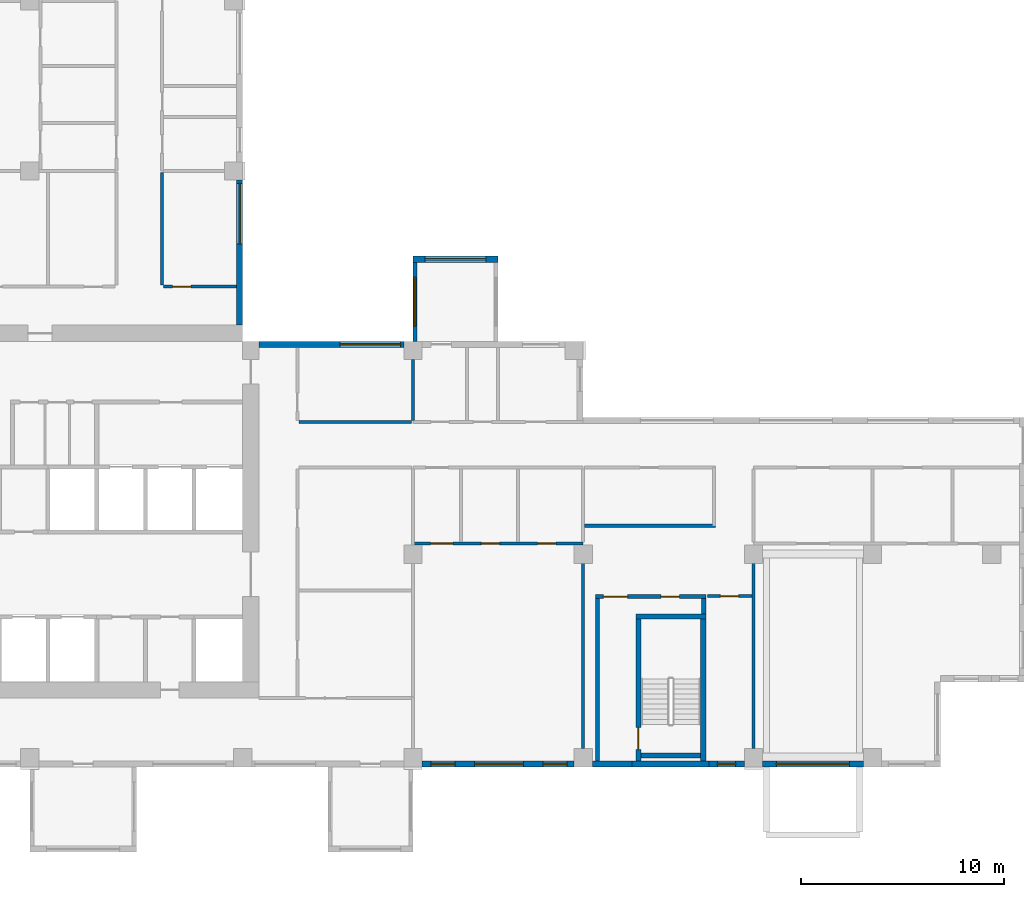
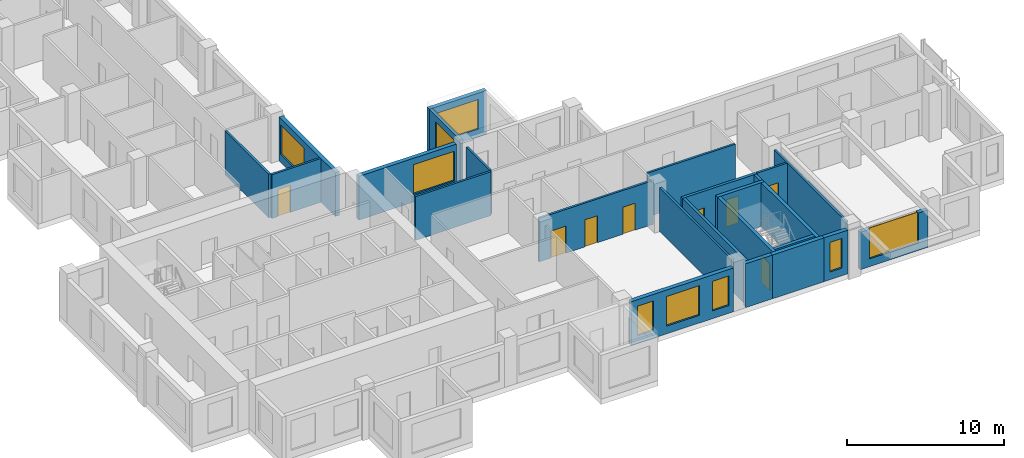
# One storey, part 4 of 12: 25 walls, 9 windows, 8 doors, 17 openings.
"""IFC4 building model written with IfcOpenShell, lengths in metres."""

from ifc_helpers import new_model, si_unit, direction, frame, frame_2d, origin, place, context, subcontext, project, spatial, rectangle, extrude, source, transform, mapped, material, layer, layer_set, type_object, element, fill, save


model = new_model("IFC4")

# Units and contexts
model_context = context("Model", 3, precision=1e-05, world=origin(), true_north=direction((0.0, 1.0)))
body_context = subcontext(model_context, "Body", "Model", "MODEL_VIEW")
ifc_project = project(units=[si_unit("LENGTHUNIT", "METRE"), si_unit("AREAUNIT", "SQUARE_METRE"), si_unit("VOLUMEUNIT", "CUBIC_METRE"), si_unit("PLANEANGLEUNIT", "RADIAN"), si_unit("MASSUNIT", "GRAM", prefix="KILO")], contexts=[model_context])

# Site, building, storey
site_placement = place(None, origin())
site = spatial("IfcSite", under=ifc_project, at=site_placement, CompositionType="ELEMENT")
building_placement = place(site_placement, origin())
building = spatial("IfcBuilding", under=site, at=building_placement, Name="Aurelian Terraces", CompositionType="ELEMENT")
storey_placement = place(building_placement, frame((0.0, 0.0, 196.8)))
storey = spatial("IfcBuildingStorey", under=building, at=storey_placement, Name="L43", CompositionType="ELEMENT", Elevation=196.8)

# Wall, opening, window
ifc_material_1 = material(Name="Terracotta rainscreen cladding", Category="masonry")
ifc_layer_1 = layer(ifc_material_1, 0.3)
ifc_layer_set_1 = layer_set([ifc_layer_1], Name="EW-300")
wall_type_1 = type_object("IfcWallType", Name="EW-300", PredefinedType="STANDARD", material=ifc_layer_set_1)
shared_shape_1 = source(origin(), body_context, "Body", "SweptSolid", [
    extrude(rectangle(XDim=7.15, YDim=0.3, at=frame_2d((3.575, 0.0))), origin(), (0.0, 0.0, 1.0), 3.4),
])
wall_1_placement = place(storey_placement, frame((28.95, 20.85, 0.0), z_axis=(0.0, 0.0, 1.0), x_axis=(-1.0, 0.0, 0.0)))
wall_1 = element("IfcWall", 1, at=wall_1_placement, inside=storey, type_object=wall_type_1, Name="External wall L43 F07.17", PredefinedType="STANDARD", context=body_context, shape_type="MappedRepresentation", body=[
    mapped(shared_shape_1, transform((0.0, 0.0, 0.0), scale=1.0)),
])
shared_shape_2 = source(origin(), body_context, "Body", "SweptSolid", [
    extrude(rectangle(XDim=3.0, YDim=2.3, at=frame_2d((1.5, 1.15))), frame((0.0, 0.16, 0.0), z_axis=(0.0, -1.0, 0.0), x_axis=(1.0, 0.0, 0.0)), (0.0, 0.0, 1.0), 0.32),
])
opening_1_placement = place(wall_1_placement, frame((0.15, 0.0, 0.6)))
opening_1 = element("IfcOpeningElement", 2, at=opening_1_placement, cuts=wall_1, Name="Opening W3023", PredefinedType="OPENING", context=body_context, shape_type="MappedRepresentation", body=[
    mapped(shared_shape_2, transform((0.0, 0.0, 0.0), scale=1.0)),
])
ifc_material_2 = material(Name="Clear glazing", Category="glass")
window_type_1 = type_object("IfcWindowType", Name="W-3000x2300", PartitioningType="SINGLE_PANEL", PredefinedType="WINDOW", material=ifc_material_2)
shared_shape_3 = source(origin(), body_context, "Body", "SweptSolid", [
    extrude(rectangle(XDim=3.0, YDim=2.3, at=frame_2d((1.5, 1.15))), frame((0.0, 0.03, 0.0), z_axis=(0.0, -1.0, 0.0), x_axis=(1.0, 0.0, 0.0)), (0.0, 0.0, 1.0), 0.06),
])
window_1_placement = place(opening_1_placement, origin())
window_1 = element("IfcWindow", 3, at=window_1_placement, inside=storey, type_object=window_type_1, Name="Window L43 L43-F07-17-0", OverallHeight=2.3, OverallWidth=3.0, PartitioningType="SINGLE_PANEL", PredefinedType="WINDOW", context=body_context, shape_type="MappedRepresentation", body=[
    mapped(shared_shape_3, transform((0.0, 0.0, 0.0), scale=1.0)),
])
fill(opening_1, window_1)

wall_2_placement = place(storey_placement, frame((20.85, 21.8, 0.0), z_axis=(0.0, 0.0, 1.0), x_axis=(0.0, 1.0, 0.0)))
wall_2 = element("IfcWall", 4, at=wall_2_placement, inside=storey, type_object=wall_type_1, Name="External wall L43 F08.18", PredefinedType="STANDARD", context=body_context, shape_type="MappedRepresentation", body=[
    mapped(shared_shape_1, transform((0.0, 0.0, 0.0), scale=1.0)),
])
opening_2_placement = place(wall_2_placement, frame((4.0, 0.0, 0.6)))
opening_2 = element("IfcOpeningElement", 5, at=opening_2_placement, cuts=wall_2, Name="Opening W3023", PredefinedType="OPENING", context=body_context, shape_type="MappedRepresentation", body=[
    mapped(shared_shape_2, transform((0.0, 0.0, 0.0), scale=1.0)),
])
window_2_placement = place(opening_2_placement, origin())
window_2 = element("IfcWindow", 6, at=window_2_placement, inside=storey, type_object=window_type_1, Name="Window L43 L43-F08-18-1", OverallHeight=2.3, OverallWidth=3.0, PartitioningType="SINGLE_PANEL", PredefinedType="WINDOW", context=body_context, shape_type="MappedRepresentation", body=[
    mapped(shared_shape_3, transform((0.0, 0.0, 0.0), scale=1.0)),
])
fill(opening_2, window_2)

# Wall, openings, windows
shared_shape_4 = source(origin(), body_context, "Body", "SweptSolid", [
    extrude(rectangle(XDim=7.5, YDim=0.3, at=frame_2d((3.75, 0.0))), origin(), (0.0, 0.0, 1.0), 3.4),
])
wall_3_placement = place(storey_placement, frame((29.85, 0.15, 0.0), z_axis=(0.0, 0.0, 1.0), x_axis=(1.0, 0.0, 0.0)))
wall_3 = element("IfcWall", 7, at=wall_3_placement, inside=storey, type_object=wall_type_1, Name="External wall L43 F01.4", PredefinedType="STANDARD", context=body_context, shape_type="MappedRepresentation", body=[
    mapped(shared_shape_4, transform((0.0, 0.0, 0.0), scale=1.0)),
])
shared_shape_5 = source(origin(), body_context, "Body", "SweptSolid", [
    extrude(rectangle(XDim=1.2, YDim=2.3, at=frame_2d((0.6, 1.15))), frame((0.0, 0.16, 0.0), z_axis=(0.0, -1.0, 0.0), x_axis=(1.0, 0.0, 0.0)), (0.0, 0.0, 1.0), 0.32),
])
opening_3_placement = place(wall_3_placement, frame((0.4375, 0.0, 0.6)))
opening_3 = element("IfcOpeningElement", 8, at=opening_3_placement, cuts=wall_3, Name="Opening W1223", PredefinedType="OPENING", context=body_context, shape_type="MappedRepresentation", body=[
    mapped(shared_shape_5, transform((0.0, 0.0, 0.0), scale=1.0)),
])
opening_4_placement = place(wall_3_placement, frame((5.9625, 0.0, 0.6)))
opening_4 = element("IfcOpeningElement", 9, at=opening_4_placement, cuts=wall_3, Name="Opening W1223", PredefinedType="OPENING", context=body_context, shape_type="MappedRepresentation", body=[
    mapped(shared_shape_5, transform((0.0, 0.0, 0.0), scale=1.0)),
])
shared_shape_6 = source(origin(), body_context, "Body", "SweptSolid", [
    extrude(rectangle(XDim=2.4, YDim=2.3, at=frame_2d((1.2, 1.15))), frame((0.0, 0.16, 0.0), z_axis=(0.0, -1.0, 0.0), x_axis=(1.0, 0.0, 0.0)), (0.0, 0.0, 1.0), 0.32),
])
opening_5_placement = place(wall_3_placement, frame((2.6, 0.0, 0.6)))
opening_5 = element("IfcOpeningElement", 10, at=opening_5_placement, cuts=wall_3, Name="Opening W2423", PredefinedType="OPENING", context=body_context, shape_type="MappedRepresentation", body=[
    mapped(shared_shape_6, transform((0.0, 0.0, 0.0), scale=1.0)),
])
window_type_2 = type_object("IfcWindowType", Name="W-1200x2300", PartitioningType="SINGLE_PANEL", PredefinedType="WINDOW", material=ifc_material_2)
shared_shape_7 = source(origin(), body_context, "Body", "SweptSolid", [
    extrude(rectangle(XDim=1.2, YDim=2.3, at=frame_2d((0.6, 1.15))), frame((0.0, 0.03, 0.0), z_axis=(0.0, -1.0, 0.0), x_axis=(1.0, 0.0, 0.0)), (0.0, 0.0, 1.0), 0.06),
])
window_3_placement = place(opening_3_placement, origin())
window_3 = element("IfcWindow", 11, at=window_3_placement, inside=storey, type_object=window_type_2, Name="Window L43 L43-F01-04-0", OverallHeight=2.3, OverallWidth=1.2, PartitioningType="SINGLE_PANEL", PredefinedType="WINDOW", context=body_context, shape_type="MappedRepresentation", body=[
    mapped(shared_shape_7, transform((0.0, 0.0, 0.0), scale=1.0)),
])
fill(opening_3, window_3)
window_4_placement = place(opening_4_placement, origin())
window_4 = element("IfcWindow", 12, at=window_4_placement, inside=storey, type_object=window_type_2, Name="Window L43 L43-F01-04-1", OverallHeight=2.3, OverallWidth=1.2, PartitioningType="SINGLE_PANEL", PredefinedType="WINDOW", context=body_context, shape_type="MappedRepresentation", body=[
    mapped(shared_shape_7, transform((0.0, 0.0, 0.0), scale=1.0)),
])
fill(opening_4, window_4)
window_type_3 = type_object("IfcWindowType", Name="W-2400x2300", PartitioningType="SINGLE_PANEL", PredefinedType="WINDOW", material=ifc_material_2)
shared_shape_8 = source(origin(), body_context, "Body", "SweptSolid", [
    extrude(rectangle(XDim=2.4, YDim=2.3, at=frame_2d((1.2, 1.15))), frame((0.0, 0.03, 0.0), z_axis=(0.0, -1.0, 0.0), x_axis=(1.0, 0.0, 0.0)), (0.0, 0.0, 1.0), 0.06),
])
window_5_placement = place(opening_5_placement, origin())
window_5 = element("IfcWindow", 13, at=window_5_placement, inside=storey, type_object=window_type_3, Name="Window L43 L43-F01-04-G0-21", OverallHeight=2.3, OverallWidth=2.4, PartitioningType="SINGLE_PANEL", PredefinedType="WINDOW", context=body_context, shape_type="MappedRepresentation", body=[
    mapped(shared_shape_8, transform((0.0, 0.0, 0.0), scale=1.0)),
])
fill(opening_5, window_5)

# Wall, opening, window
ifc_material_3 = material(Name="Concrete fc' 40 MPa", Category="concrete")
ifc_layer_2 = layer(ifc_material_3, 0.2)
ifc_layer_set_2 = layer_set([ifc_layer_2], Name="BOX BEARING WALL 200")
wall_type_2 = type_object("IfcWallType", Name="BOX BEARING WALL 200", PredefinedType="SOLIDWALL", material=ifc_layer_set_2)
shared_shape_9 = source(origin(), body_context, "Body", "SweptSolid", [
    extrude(rectangle(XDim=3.9, YDim=0.2, at=frame_2d((1.95, 0.0))), origin(), (0.0, 0.0, 1.0), 3.4),
])
wall_4_placement = place(storey_placement, frame((29.5, 21.0, 0.0), z_axis=(0.0, 0.0, 1.0), x_axis=(0.0, 1.0, 0.0)))
wall_4 = element("IfcWall", 14, at=wall_4_placement, inside=storey, type_object=wall_type_2, Name="Box return L43 J59.2", PredefinedType="SOLIDWALL", context=body_context, shape_type="MappedRepresentation", body=[
    mapped(shared_shape_9, transform((0.0, 0.0, 0.0), scale=1.0)),
])
shared_shape_10 = source(origin(), body_context, "Body", "SweptSolid", [
    extrude(rectangle(XDim=2.4, YDim=2.3, at=frame_2d((1.2, 1.15))), frame((0.0, 0.11, 0.0), z_axis=(0.0, -1.0, 0.0), x_axis=(1.0, 0.0, 0.0)), (0.0, 0.0, 1.0), 0.22),
])
opening_6_placement = place(wall_4_placement, frame((0.75, 0.0, 0.6)))
opening_6 = element("IfcOpeningElement", 15, at=opening_6_placement, cuts=wall_4, Name="Opening W2423", PredefinedType="OPENING", context=body_context, shape_type="MappedRepresentation", body=[
    mapped(shared_shape_10, transform((0.0, 0.0, 0.0), scale=1.0)),
])
window_6_placement = place(opening_6_placement, origin())
window_6 = element("IfcWindow", 16, at=window_6_placement, inside=storey, type_object=window_type_3, Name="Window L43 J59-S2", OverallHeight=2.3, OverallWidth=2.4, PartitioningType="SINGLE_PANEL", PredefinedType="WINDOW", context=body_context, shape_type="MappedRepresentation", body=[
    mapped(shared_shape_8, transform((0.0, 0.0, 0.0), scale=1.0)),
])
fill(opening_6, window_6)

ifc_layer_3 = layer(ifc_material_3, 0.3)
ifc_layer_set_3 = layer_set([ifc_layer_3], Name="BOX BEARING WALL 300")
wall_type_3 = type_object("IfcWallType", Name="BOX BEARING WALL 300", PredefinedType="SOLIDWALL", material=ifc_layer_set_3)
shared_shape_11 = source(origin(), body_context, "Body", "SweptSolid", [
    extrude(rectangle(XDim=4.2, YDim=0.3, at=frame_2d((2.1, 0.0))), origin(), (0.0, 0.0, 1.0), 3.4),
])
wall_5_placement = place(storey_placement, frame((33.6, 25.05, 0.0), z_axis=(0.0, 0.0, 1.0), x_axis=(-1.0, 0.0, 0.0)))
wall_5 = element("IfcWall", 17, at=wall_5_placement, inside=storey, type_object=wall_type_3, Name="Box wall L43 J59", PredefinedType="SOLIDWALL", context=body_context, shape_type="MappedRepresentation", body=[
    mapped(shared_shape_11, transform((0.0, 0.0, 0.0), scale=1.0)),
])
opening_7_placement = place(wall_5_placement, frame((0.6, 0.0, 0.6)))
opening_7 = element("IfcOpeningElement", 18, at=opening_7_placement, cuts=wall_5, Name="Opening W3023", PredefinedType="OPENING", context=body_context, shape_type="MappedRepresentation", body=[
    mapped(shared_shape_2, transform((0.0, 0.0, 0.0), scale=1.0)),
])
window_7_placement = place(opening_7_placement, origin())
window_7 = element("IfcWindow", 19, at=window_7_placement, inside=storey, type_object=window_type_1, Name="Window L43 J59-F1", OverallHeight=2.3, OverallWidth=3.0, PartitioningType="SINGLE_PANEL", PredefinedType="WINDOW", context=body_context, shape_type="MappedRepresentation", body=[
    mapped(shared_shape_3, transform((0.0, 0.0, 0.0), scale=1.0)),
])
fill(opening_7, window_7)

# Walls
shared_shape_12 = source(origin(), body_context, "Body", "SweptSolid", [
    extrude(rectangle(XDim=1.95, YDim=0.3, at=frame_2d((0.975, 0.0))), origin(), (0.0, 0.0, 1.0), 3.4),
])
wall_6_placement = place(storey_placement, frame((38.25, 0.15, 0.0), z_axis=(0.0, 0.0, 1.0), x_axis=(1.0, 0.0, 0.0)))
element("IfcWall", 20, at=wall_6_placement, inside=storey, type_object=wall_type_1, Name="External wall L43 F01.5", PredefinedType="STANDARD", context=body_context, shape_type="MappedRepresentation", body=[
    mapped(shared_shape_12, transform((0.0, 0.0, 0.0), scale=1.0)),
])
ifc_layer_4 = layer(ifc_material_3, 0.3)
ifc_layer_set_4 = layer_set([ifc_layer_4], Name="STAIR BAY WALL 300")
wall_type_4 = type_object("IfcWallType", Name="STAIR BAY WALL 300", PredefinedType="SOLIDWALL", material=ifc_layer_set_4)
shared_shape_13 = source(origin(), body_context, "Body", "SweptSolid", [
    extrude(rectangle(XDim=3.8, YDim=0.3, at=frame_2d((1.9, 0.0))), origin(), (0.0, 0.0, 1.0), 3.4),
])
wall_7_placement = place(storey_placement, frame((40.2, 0.15, 0.0), z_axis=(0.0, 0.0, 1.0), x_axis=(1.0, 0.0, 0.0)))
element("IfcWall", 21, at=wall_7_placement, inside=storey, type_object=wall_type_4, Name="Stair bay wall L43 F01.5", PredefinedType="SOLIDWALL", context=body_context, shape_type="MappedRepresentation", body=[
    mapped(shared_shape_13, transform((0.0, 0.0, 0.0), scale=1.0)),
])

# Wall, opening, window
shared_shape_14 = source(origin(), body_context, "Body", "SweptSolid", [
    extrude(rectangle(XDim=1.75, YDim=0.3, at=frame_2d((0.875, 0.0))), origin(), (0.0, 0.0, 1.0), 3.4),
])
wall_8_placement = place(storey_placement, frame((44.0, 0.15, 0.0), z_axis=(0.0, 0.0, 1.0), x_axis=(1.0, 0.0, 0.0)))
wall_8 = element("IfcWall", 22, at=wall_8_placement, inside=storey, type_object=wall_type_1, Name="External wall L43 F01.5", PredefinedType="STANDARD", context=body_context, shape_type="MappedRepresentation", body=[
    mapped(shared_shape_14, transform((0.0, 0.0, 0.0), scale=1.0)),
])
shared_shape_15 = source(origin(), body_context, "Body", "SweptSolid", [
    extrude(rectangle(XDim=0.9, YDim=2.3, at=frame_2d((0.45, 1.15))), frame((0.0, 0.16, 0.0), z_axis=(0.0, -1.0, 0.0), x_axis=(1.0, 0.0, 0.0)), (0.0, 0.0, 1.0), 0.32),
])
opening_8_placement = place(wall_8_placement, frame((0.425, 0.0, 0.6)))
opening_8 = element("IfcOpeningElement", 23, at=opening_8_placement, cuts=wall_8, Name="Opening W0923", PredefinedType="OPENING", context=body_context, shape_type="MappedRepresentation", body=[
    mapped(shared_shape_15, transform((0.0, 0.0, 0.0), scale=1.0)),
])
window_type_4 = type_object("IfcWindowType", Name="W-900x2300", PartitioningType="SINGLE_PANEL", PredefinedType="WINDOW", material=ifc_material_2)
shared_shape_16 = source(origin(), body_context, "Body", "SweptSolid", [
    extrude(rectangle(XDim=0.9, YDim=2.3, at=frame_2d((0.45, 1.15))), frame((0.0, 0.03, 0.0), z_axis=(0.0, -1.0, 0.0), x_axis=(1.0, 0.0, 0.0)), (0.0, 0.0, 1.0), 0.06),
])
window_8_placement = place(opening_8_placement, origin())
window_8 = element("IfcWindow", 24, at=window_8_placement, inside=storey, type_object=window_type_4, Name="Window L43 L43-F01-05-P2", OverallHeight=2.3, OverallWidth=0.9, PartitioningType="SINGLE_PANEL", PredefinedType="WINDOW", context=body_context, shape_type="MappedRepresentation", body=[
    mapped(shared_shape_16, transform((0.0, 0.0, 0.0), scale=1.0)),
])
fill(opening_8, window_8)

shared_shape_17 = source(origin(), body_context, "Body", "SweptSolid", [
    extrude(rectangle(XDim=4.98, YDim=0.3, at=frame_2d((2.49, 0.0))), origin(), (0.0, 0.0, 1.0), 2.9),
])
wall_9_placement = place(storey_placement, frame((46.65, 0.15, 0.0), z_axis=(0.0, 0.0, 1.0), x_axis=(1.0, 0.0, 0.0)))
wall_9 = element("IfcWall", 25, at=wall_9_placement, inside=storey, type_object=wall_type_1, Name="External wall L43 F01.6", PredefinedType="STANDARD", context=body_context, shape_type="MappedRepresentation", body=[
    mapped(shared_shape_17, transform((0.0, 0.0, 0.0), scale=1.0)),
])
shared_shape_18 = source(origin(), body_context, "Body", "SweptSolid", [
    extrude(rectangle(XDim=3.6, YDim=2.3, at=frame_2d((1.8, 1.15))), frame((0.0, 0.16, 0.0), z_axis=(0.0, -1.0, 0.0), x_axis=(1.0, 0.0, 0.0)), (0.0, 0.0, 1.0), 0.32),
])
opening_9_placement = place(wall_9_placement, frame((0.69, 0.0, 0.6)))
opening_9 = element("IfcOpeningElement", 26, at=opening_9_placement, cuts=wall_9, Name="Opening W3623", PredefinedType="OPENING", context=body_context, shape_type="MappedRepresentation", body=[
    mapped(shared_shape_18, transform((0.0, 0.0, 0.0), scale=1.0)),
])
window_type_5 = type_object("IfcWindowType", Name="W-3600x2300", PartitioningType="SINGLE_PANEL", PredefinedType="WINDOW", material=ifc_material_2)
shared_shape_19 = source(origin(), body_context, "Body", "SweptSolid", [
    extrude(rectangle(XDim=3.6, YDim=2.3, at=frame_2d((1.8, 1.15))), frame((0.0, 0.03, 0.0), z_axis=(0.0, -1.0, 0.0), x_axis=(1.0, 0.0, 0.0)), (0.0, 0.0, 1.0), 0.06),
])
window_9_placement = place(opening_9_placement, origin())
window_9 = element("IfcWindow", 27, at=window_9_placement, inside=storey, type_object=window_type_5, Name="Window L43 L43-F01-06-0", OverallHeight=2.3, OverallWidth=3.6, PartitioningType="SINGLE_PANEL", PredefinedType="WINDOW", context=body_context, shape_type="MappedRepresentation", body=[
    mapped(shared_shape_19, transform((0.0, 0.0, 0.0), scale=1.0)),
])
fill(opening_9, window_9)

# Wall, opening, door
ifc_layer_5 = layer(ifc_material_3, 0.25)
ifc_layer_set_5 = layer_set([ifc_layer_5], Name="Stair enclosure wall 250")
wall_type_5 = type_object("IfcWallType", Name="Stair enclosure wall 250", PredefinedType="SOLIDWALL", material=ifc_layer_set_5)
shared_shape_20 = source(origin(), body_context, "Body", "SweptSolid", [
    extrude(rectangle(XDim=7.0, YDim=0.25, at=frame_2d((3.5, 0.0))), origin(), (0.0, 0.0, 1.0), 3.4),
])
wall_10_placement = place(storey_placement, frame((40.525, 0.3, 0.0), z_axis=(0.0, 0.0, 1.0), x_axis=(0.0, 1.0, 0.0)))
wall_10 = element("IfcWall", 28, at=wall_10_placement, inside=storey, type_object=wall_type_5, Name="L43 core wall ST-S2-W", PredefinedType="SOLIDWALL", context=body_context, shape_type="MappedRepresentation", body=[
    mapped(shared_shape_20, transform((0.0, 0.0, 0.0), scale=1.0)),
])
shared_shape_21 = source(origin(), body_context, "Body", "SweptSolid", [
    extrude(rectangle(XDim=1.1, YDim=2.1, at=frame_2d((0.55, 1.05))), frame((0.0, 0.135, 0.0), z_axis=(0.0, -1.0, 0.0), x_axis=(1.0, 0.0, 0.0)), (0.0, 0.0, 1.0), 0.27),
])
opening_10_placement = place(wall_10_placement, frame((0.55, 0.0, 0.0)))
opening_10 = element("IfcOpeningElement", 29, at=opening_10_placement, cuts=wall_10, Name="Opening 64617", PredefinedType="OPENING", context=body_context, shape_type="MappedRepresentation", body=[
    mapped(shared_shape_21, transform((0.0, 0.0, 0.0), scale=1.0)),
])
ifc_material_4 = material(Name="Steel door leaf", Category="steel")
door_type_1 = type_object("IfcDoorType", Name="Core fire door 1100x2100 right", OperationType="SINGLE_SWING_RIGHT", PredefinedType="DOOR", material=ifc_material_4)
shared_shape_22 = source(origin(), body_context, "Body", "SweptSolid", [
    extrude(rectangle(XDim=1.1, YDim=2.1, at=frame_2d((0.55, 1.05))), frame((0.0, 0.025, 0.0), z_axis=(0.0, -1.0, 0.0), x_axis=(1.0, 0.0, 0.0)), (0.0, 0.0, 1.0), 0.05),
])
door_1_placement = place(opening_10_placement, origin())
door_1 = element("IfcDoor", 30, at=door_1_placement, inside=storey, type_object=door_type_1, Name="Stair door 64617", OperationType="SINGLE_SWING_RIGHT", OverallHeight=2.1, OverallWidth=1.1, PredefinedType="DOOR", context=body_context, shape_type="MappedRepresentation", body=[
    mapped(shared_shape_22, transform((0.0, 0.0, 0.0), scale=1.0)),
])
fill(opening_10, door_1)

# Walls
wall_11_placement = place(storey_placement, frame((43.725, 0.3, 0.0), z_axis=(0.0, 0.0, 1.0), x_axis=(0.0, 1.0, 0.0)))
element("IfcWall", 31, at=wall_11_placement, inside=storey, type_object=wall_type_5, Name="L43 core wall ST-S2-E", PredefinedType="SOLIDWALL", context=body_context, shape_type="MappedRepresentation", body=[
    mapped(shared_shape_20, transform((0.0, 0.0, 0.0), scale=1.0)),
])
shared_shape_23 = source(origin(), body_context, "Body", "SweptSolid", [
    extrude(rectangle(XDim=3.45, YDim=0.25, at=frame_2d((1.725, 0.0))), origin(), (0.0, 0.0, 1.0), 3.4),
])
wall_12_placement = place(storey_placement, frame((40.4, 7.425, 0.0), z_axis=(0.0, 0.0, 1.0), x_axis=(1.0, 0.0, 0.0)))
element("IfcWall", 32, at=wall_12_placement, inside=storey, type_object=wall_type_5, Name="L43 core wall ST-S2-N", PredefinedType="SOLIDWALL", context=body_context, shape_type="MappedRepresentation", body=[
    mapped(shared_shape_23, transform((0.0, 0.0, 0.0), scale=1.0)),
])
shared_shape_24 = source(origin(), body_context, "Body", "SweptSolid", [
    extrude(rectangle(XDim=2.95, YDim=0.25, at=frame_2d((1.475, 0.0))), origin(), (0.0, 0.0, 1.0), 3.4),
])
wall_13_placement = place(storey_placement, frame((40.65, 0.575, 0.0), z_axis=(0.0, 0.0, 1.0), x_axis=(1.0, 0.0, 0.0)))
element("IfcWall", 33, at=wall_13_placement, inside=storey, type_object=wall_type_5, Name="L43 core wall ST-S2-SS", PredefinedType="SOLIDWALL", context=body_context, shape_type="MappedRepresentation", body=[
    mapped(shared_shape_24, transform((0.0, 0.0, 0.0), scale=1.0)),
])

# Wall, openings, doors
ifc_material_5 = material(Name="Gypsum board on steel studs", Category="steel")
ifc_layer_6 = layer(ifc_material_5, 0.2)
ifc_layer_set_6 = layer_set([ifc_layer_6], Name="Core partition 200")
wall_type_6 = type_object("IfcWallType", Name="Core partition 200", PredefinedType="PARTITIONING", material=ifc_layer_set_6)
shared_shape_25 = source(origin(), body_context, "Body", "SweptSolid", [
    extrude(rectangle(XDim=5.45, YDim=0.2, at=frame_2d((2.725, 0.0))), origin(), (0.0, 0.0, 1.0), 3.4),
])
wall_14_placement = place(storey_placement, frame((38.4, 8.4, 0.0), z_axis=(0.0, 0.0, 1.0), x_axis=(1.0, 0.0, 0.0)))
wall_14 = element("IfcWall", 34, at=wall_14_placement, inside=storey, type_object=wall_type_6, Name="L43 core wall ST-S2-BN", PredefinedType="PARTITIONING", context=body_context, shape_type="MappedRepresentation", body=[
    mapped(shared_shape_25, transform((0.0, 0.0, 0.0), scale=1.0)),
])
shared_shape_26 = source(origin(), body_context, "Body", "SweptSolid", [
    extrude(rectangle(XDim=1.2, YDim=2.1, at=frame_2d((0.6, 1.05))), frame((0.0, 0.11, 0.0), z_axis=(0.0, -1.0, 0.0), x_axis=(1.0, 0.0, 0.0)), (0.0, 0.0, 1.0), 0.22),
])
opening_11_placement = place(wall_14_placement, frame((0.4, 0.0, 0.0)))
opening_11 = element("IfcOpeningElement", 35, at=opening_11_placement, cuts=wall_14, Name="Opening 64618", PredefinedType="OPENING", context=body_context, shape_type="MappedRepresentation", body=[
    mapped(shared_shape_26, transform((0.0, 0.0, 0.0), scale=1.0)),
])
shared_shape_27 = source(origin(), body_context, "Body", "SweptSolid", [
    extrude(rectangle(XDim=0.9, YDim=2.1, at=frame_2d((0.45, 1.05))), frame((0.0, 0.11, 0.0), z_axis=(0.0, -1.0, 0.0), x_axis=(1.0, 0.0, 0.0)), (0.0, 0.0, 1.0), 0.22),
])
opening_12_placement = place(wall_14_placement, frame((3.25, 0.0, 0.0)))
opening_12 = element("IfcOpeningElement", 36, at=opening_12_placement, cuts=wall_14, Name="Opening 64619", PredefinedType="OPENING", context=body_context, shape_type="MappedRepresentation", body=[
    mapped(shared_shape_27, transform((0.0, 0.0, 0.0), scale=1.0)),
])
door_type_2 = type_object("IfcDoorType", Name="Core riser door 900x2100 right", OperationType="SINGLE_SWING_RIGHT", PredefinedType="DOOR", material=ifc_material_4)
shared_shape_28 = source(origin(), body_context, "Body", "SweptSolid", [
    extrude(rectangle(XDim=0.9, YDim=2.1, at=frame_2d((0.45, 1.05))), frame((0.0, 0.025, 0.0), z_axis=(0.0, -1.0, 0.0), x_axis=(1.0, 0.0, 0.0)), (0.0, 0.0, 1.0), 0.05),
])
door_2_placement = place(opening_12_placement, origin())
door_2 = element("IfcDoor", 37, at=door_2_placement, inside=storey, type_object=door_type_2, Name="Riser door 64619", OperationType="SINGLE_SWING_RIGHT", OverallHeight=2.1, OverallWidth=0.9, PredefinedType="DOOR", context=body_context, shape_type="MappedRepresentation", body=[
    mapped(shared_shape_28, transform((0.0, 0.0, 0.0), scale=1.0)),
])
fill(opening_12, door_2)
door_type_3 = type_object("IfcDoorType", Name="Core fire door 1200x2100", OperationType="SINGLE_SWING_LEFT", PredefinedType="DOOR", material=ifc_material_4)
shared_shape_29 = source(origin(), body_context, "Body", "SweptSolid", [
    extrude(rectangle(XDim=1.2, YDim=2.1, at=frame_2d((0.6, 1.05))), frame((0.0, 0.025, 0.0), z_axis=(0.0, -1.0, 0.0), x_axis=(1.0, 0.0, 0.0)), (0.0, 0.0, 1.0), 0.05),
])
door_3_placement = place(opening_11_placement, origin())
door_3 = element("IfcDoor", 38, at=door_3_placement, inside=storey, type_object=door_type_3, Name="Vestibule door 64618", OperationType="SINGLE_SWING_LEFT", OverallHeight=2.1, OverallWidth=1.2, PredefinedType="DOOR", context=body_context, shape_type="MappedRepresentation", body=[
    mapped(shared_shape_29, transform((0.0, 0.0, 0.0), scale=1.0)),
])
fill(opening_11, door_3)

# Walls
shared_shape_30 = source(origin(), body_context, "Body", "SweptSolid", [
    extrude(rectangle(XDim=0.75, YDim=0.2, at=frame_2d((0.375, 0.0))), origin(), (0.0, 0.0, 1.0), 3.4),
])
wall_15_placement = place(storey_placement, frame((43.75, 7.55, 0.0), z_axis=(0.0, 0.0, 1.0), x_axis=(0.0, 1.0, 0.0)))
element("IfcWall", 39, at=wall_15_placement, inside=storey, type_object=wall_type_6, Name="L43 core wall ST-S2-RE", PredefinedType="PARTITIONING", context=body_context, shape_type="MappedRepresentation", body=[
    mapped(shared_shape_30, transform((0.0, 0.0, 0.0), scale=1.0)),
])
shared_shape_31 = source(origin(), body_context, "Body", "SweptSolid", [
    extrude(rectangle(XDim=8.0, YDim=0.2, at=frame_2d((4.0, 0.0))), origin(), (0.0, 0.0, 1.0), 3.4),
])
wall_16_placement = place(storey_placement, frame((38.5, 0.3, 0.0), z_axis=(0.0, 0.0, 1.0), x_axis=(0.0, 1.0, 0.0)))
element("IfcWall", 40, at=wall_16_placement, inside=storey, type_object=wall_type_6, Name="L43 core wall ST-S2-VW", PredefinedType="PARTITIONING", context=body_context, shape_type="MappedRepresentation", body=[
    mapped(shared_shape_31, transform((0.0, 0.0, 0.0), scale=1.0)),
])
ifc_layer_7 = layer(ifc_material_5, 0.15)
ifc_layer_set_7 = layer_set([ifc_layer_7], Name="Fire partition 150")
wall_type_7 = type_object("IfcWallType", Name="Fire partition 150", PredefinedType="PARTITIONING", material=ifc_layer_set_7)
shared_shape_32 = source(origin(), body_context, "Body", "SweptSolid", [
    extrude(rectangle(XDim=5.55, YDim=0.15, at=frame_2d((2.775, 0.0))), origin(), (0.0, 0.0, 1.0), 3.4),
])
for number, where, z_axis, x_axis, name in (
    (41, (23.775, 17.025, 0.0), (0.0, 0.0, 1.0), (1.0, 0.0, 0.0), "Corridor wall"),
    (42, (17.025, 29.325, 0.0), (0.0, 0.0, 1.0), (0.0, -1.0, 0.0), "Corridor wall"),
):
    element("IfcWall", number, at=place(storey_placement, frame(where, z_axis=z_axis, x_axis=x_axis)), inside=storey, type_object=wall_type_7, Name=name, PredefinedType="PARTITIONING", context=body_context, shape_type="MappedRepresentation", body=[
        mapped(shared_shape_32, transform((0.0, 0.0, 0.0), scale=1.0)),
    ])
ifc_layer_8 = layer(ifc_material_5, 0.15)
ifc_layer_set_8 = layer_set([ifc_layer_8], Name="Partition 150")
wall_type_8 = type_object("IfcWallType", Name="Partition 150", PredefinedType="PARTITIONING", material=ifc_layer_set_8)
shared_shape_33 = source(origin(), body_context, "Body", "SweptSolid", [
    extrude(rectangle(XDim=6.45, YDim=0.15, at=frame_2d((3.225, 0.0))), origin(), (0.0, 0.0, 1.0), 3.4),
])
wall_17_placement = place(storey_placement, frame((37.875, 11.9, 0.0), z_axis=(0.0, 0.0, 1.0), x_axis=(1.0, 0.0, 0.0)))
element("IfcWall", 43, at=wall_17_placement, inside=storey, type_object=wall_type_8, Name="Partition", PredefinedType="PARTITIONING", context=body_context, shape_type="MappedRepresentation", body=[
    mapped(shared_shape_33, transform((0.0, 0.0, 0.0), scale=1.0)),
])
shared_shape_34 = source(origin(), body_context, "Body", "SweptSolid", [
    extrude(rectangle(XDim=9.152, YDim=0.15, at=frame_2d((4.576, 0.0))), origin(), (0.0, 0.0, 1.0), 3.4),
])
for number, where, z_axis, x_axis, name in (
    (44, (37.8, 0.899, 0.0), (0.0, 0.0, 1.0), (0.0, 1.0, 0.0), "Party wall"),
    (45, (46.2, 0.899, 0.0), (0.0, 0.0, 1.0), (0.0, 1.0, 0.0), "Party wall"),
):
    element("IfcWall", number, at=place(storey_placement, frame(where, z_axis=z_axis, x_axis=x_axis)), inside=storey, type_object=wall_type_7, Name=name, PredefinedType="PARTITIONING", context=body_context, shape_type="MappedRepresentation", body=[
        mapped(shared_shape_34, transform((0.0, 0.0, 0.0), scale=1.0)),
    ])

# Wall, opening, door
shared_shape_35 = source(origin(), body_context, "Body", "SweptSolid", [
    extrude(rectangle(XDim=3.6, YDim=0.15, at=frame_2d((1.8, 0.0))), origin(), (0.0, 0.0, 1.0), 3.4),
])
wall_18_placement = place(storey_placement, frame((17.1, 23.7, 0.0), z_axis=(0.0, 0.0, 1.0), x_axis=(1.0, 0.0, 0.0)))
wall_18 = element("IfcWall", 46, at=wall_18_placement, inside=storey, type_object=wall_type_8, Name="Partition", PredefinedType="PARTITIONING", context=body_context, shape_type="MappedRepresentation", body=[
    mapped(shared_shape_35, transform((0.0, 0.0, 0.0), scale=1.0)),
])
shared_shape_36 = source(origin(), body_context, "Body", "SweptSolid", [
    extrude(rectangle(XDim=0.9, YDim=2.1, at=frame_2d((0.45, 1.05))), frame((0.0, 0.085, 0.0), z_axis=(0.0, -1.0, 0.0), x_axis=(1.0, 0.0, 0.0)), (0.0, 0.0, 1.0), 0.17),
])
opening_13_placement = place(wall_18_placement, frame((0.45, 0.0, 0.0)))
opening_13 = element("IfcOpeningElement", 47, at=opening_13_placement, cuts=wall_18, Name="Opening 743021", PredefinedType="OPENING", context=body_context, shape_type="MappedRepresentation", body=[
    mapped(shared_shape_36, transform((0.0, 0.0, 0.0), scale=1.0)),
])
ifc_material_6 = material(Name="Timber door leaf", Category="wood")
door_type_4 = type_object("IfcDoorType", Name="Room door 900x2100 right", OperationType="SINGLE_SWING_RIGHT", PredefinedType="DOOR", material=ifc_material_6)
door_4_placement = place(opening_13_placement, origin())
door_4 = element("IfcDoor", 48, at=door_4_placement, inside=storey, type_object=door_type_4, Name="Door 743021", OperationType="SINGLE_SWING_RIGHT", OverallHeight=2.1, OverallWidth=0.9, PredefinedType="DOOR", context=body_context, shape_type="MappedRepresentation", body=[
    mapped(shared_shape_28, transform((0.0, 0.0, 0.0), scale=1.0)),
])
fill(opening_13, door_4)

# Wall, openings, doors
shared_shape_37 = source(origin(), body_context, "Body", "SweptSolid", [
    extrude(rectangle(XDim=8.4, YDim=0.15, at=frame_2d((4.2, 0.0))), origin(), (0.0, 0.0, 1.0), 3.4),
])
wall_19_placement = place(storey_placement, frame((37.8, 11.025, 0.0), z_axis=(0.0, 0.0, 1.0), x_axis=(-1.0, 0.0, 0.0)))
wall_19 = element("IfcWall", 49, at=wall_19_placement, inside=storey, type_object=wall_type_8, Name="Partition", PredefinedType="PARTITIONING", context=body_context, shape_type="MappedRepresentation", body=[
    mapped(shared_shape_37, transform((0.0, 0.0, 0.0), scale=1.0)),
])
shared_shape_38 = source(origin(), body_context, "Body", "SweptSolid", [
    extrude(rectangle(XDim=1.1, YDim=2.1, at=frame_2d((0.55, 1.05))), frame((0.0, 0.085, 0.0), z_axis=(0.0, -1.0, 0.0), x_axis=(1.0, 0.0, 0.0)), (0.0, 0.0, 1.0), 0.17),
])
opening_14_placement = place(wall_19_placement, frame((6.424, 0.0, 0.0)))
opening_14 = element("IfcOpeningElement", 50, at=opening_14_placement, cuts=wall_19, Name="Opening 743008", PredefinedType="OPENING", context=body_context, shape_type="MappedRepresentation", body=[
    mapped(shared_shape_38, transform((0.0, 0.0, 0.0), scale=1.0)),
])
opening_15_placement = place(wall_19_placement, frame((4.1201, 0.0, 0.0)))
opening_15 = element("IfcOpeningElement", 51, at=opening_15_placement, cuts=wall_19, Name="Opening 743009", PredefinedType="OPENING", context=body_context, shape_type="MappedRepresentation", body=[
    mapped(shared_shape_36, transform((0.0, 0.0, 0.0), scale=1.0)),
])
opening_16_placement = place(wall_19_placement, frame((1.3462, 0.0, 0.0)))
opening_16 = element("IfcOpeningElement", 52, at=opening_16_placement, cuts=wall_19, Name="Opening 743010", PredefinedType="OPENING", context=body_context, shape_type="MappedRepresentation", body=[
    mapped(shared_shape_36, transform((0.0, 0.0, 0.0), scale=1.0)),
])
door_5_placement = place(opening_15_placement, origin())
door_5 = element("IfcDoor", 53, at=door_5_placement, inside=storey, type_object=door_type_4, Name="Door 743009", OperationType="SINGLE_SWING_RIGHT", OverallHeight=2.1, OverallWidth=0.9, PredefinedType="DOOR", context=body_context, shape_type="MappedRepresentation", body=[
    mapped(shared_shape_28, transform((0.0, 0.0, 0.0), scale=1.0)),
])
fill(opening_15, door_5)
door_type_5 = type_object("IfcDoorType", Name="Room door 900x2100 left", OperationType="SINGLE_SWING_LEFT", PredefinedType="DOOR", material=ifc_material_6)
door_6_placement = place(opening_16_placement, origin())
door_6 = element("IfcDoor", 54, at=door_6_placement, inside=storey, type_object=door_type_5, Name="Door 743010", OperationType="SINGLE_SWING_LEFT", OverallHeight=2.1, OverallWidth=0.9, PredefinedType="DOOR", context=body_context, shape_type="MappedRepresentation", body=[
    mapped(shared_shape_28, transform((0.0, 0.0, 0.0), scale=1.0)),
])
fill(opening_16, door_6)
door_type_6 = type_object("IfcDoorType", Name="Room door 1100x2100 left", OperationType="SINGLE_SWING_LEFT", PredefinedType="DOOR", material=ifc_material_6)
door_7_placement = place(opening_14_placement, origin())
door_7 = element("IfcDoor", 55, at=door_7_placement, inside=storey, type_object=door_type_6, Name="Door 743008", OperationType="SINGLE_SWING_LEFT", OverallHeight=2.1, OverallWidth=1.1, PredefinedType="DOOR", context=body_context, shape_type="MappedRepresentation", body=[
    mapped(shared_shape_22, transform((0.0, 0.0, 0.0), scale=1.0)),
])
fill(opening_14, door_7)

# Wall
shared_shape_39 = source(origin(), body_context, "Body", "SweptSolid", [
    extrude(rectangle(XDim=3.001, YDim=0.15, at=frame_2d((1.5005, 0.0))), origin(), (0.0, 0.0, 1.0), 3.4),
])
wall_20_placement = place(storey_placement, frame((29.4, 17.1, 0.0), z_axis=(0.0, 0.0, 1.0), x_axis=(0.0, 1.0, 0.0)))
element("IfcWall", 56, at=wall_20_placement, inside=storey, type_object=wall_type_8, Name="Partition", PredefinedType="PARTITIONING", context=body_context, shape_type="MappedRepresentation", body=[
    mapped(shared_shape_39, transform((0.0, 0.0, 0.0), scale=1.0)),
])

# Wall, opening, door
shared_shape_40 = source(origin(), body_context, "Body", "SweptSolid", [
    extrude(rectangle(XDim=2.2, YDim=0.15, at=frame_2d((1.1, 0.0))), origin(), (0.0, 0.0, 1.0), 3.4),
])
wall_21_placement = place(storey_placement, frame((46.125, 8.425, 0.0), z_axis=(0.0, 0.0, 1.0), x_axis=(-1.0, 0.0, 0.0)))
wall_21 = element("IfcWall", 57, at=wall_21_placement, inside=storey, type_object=wall_type_8, Name="Partition", PredefinedType="PARTITIONING", context=body_context, shape_type="MappedRepresentation", body=[
    mapped(shared_shape_40, transform((0.0, 0.0, 0.0), scale=1.0)),
])
opening_17_placement = place(wall_21_placement, frame((0.65, 0.0, 0.0)))
opening_17 = element("IfcOpeningElement", 58, at=opening_17_placement, cuts=wall_21, Name="Opening 743006", PredefinedType="OPENING", context=body_context, shape_type="MappedRepresentation", body=[
    mapped(shared_shape_36, transform((0.0, 0.0, 0.0), scale=1.0)),
])
door_8_placement = place(opening_17_placement, origin())
door_8 = element("IfcDoor", 59, at=door_8_placement, inside=storey, type_object=door_type_5, Name="Door 743006", OperationType="SINGLE_SWING_LEFT", OverallHeight=2.1, OverallWidth=0.9, PredefinedType="DOOR", context=body_context, shape_type="MappedRepresentation", body=[
    mapped(shared_shape_28, transform((0.0, 0.0, 0.0), scale=1.0)),
])
fill(opening_17, door_8)

save(model, "model.ifc")
